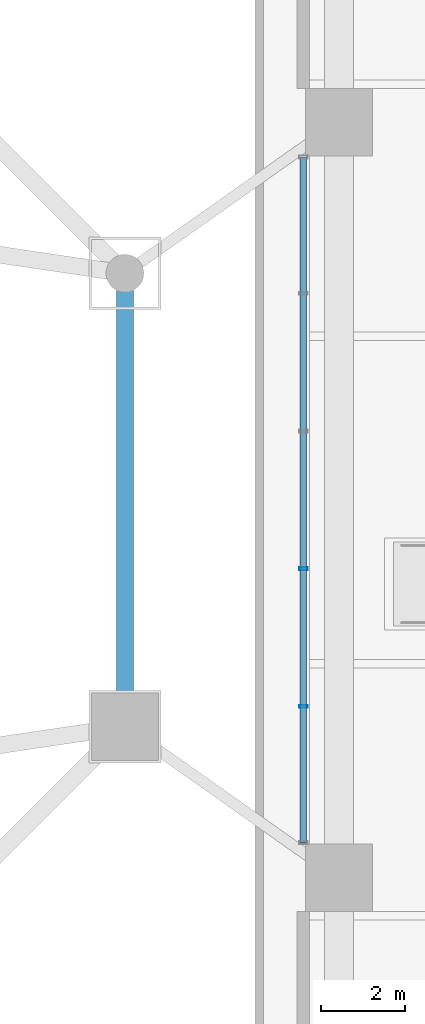
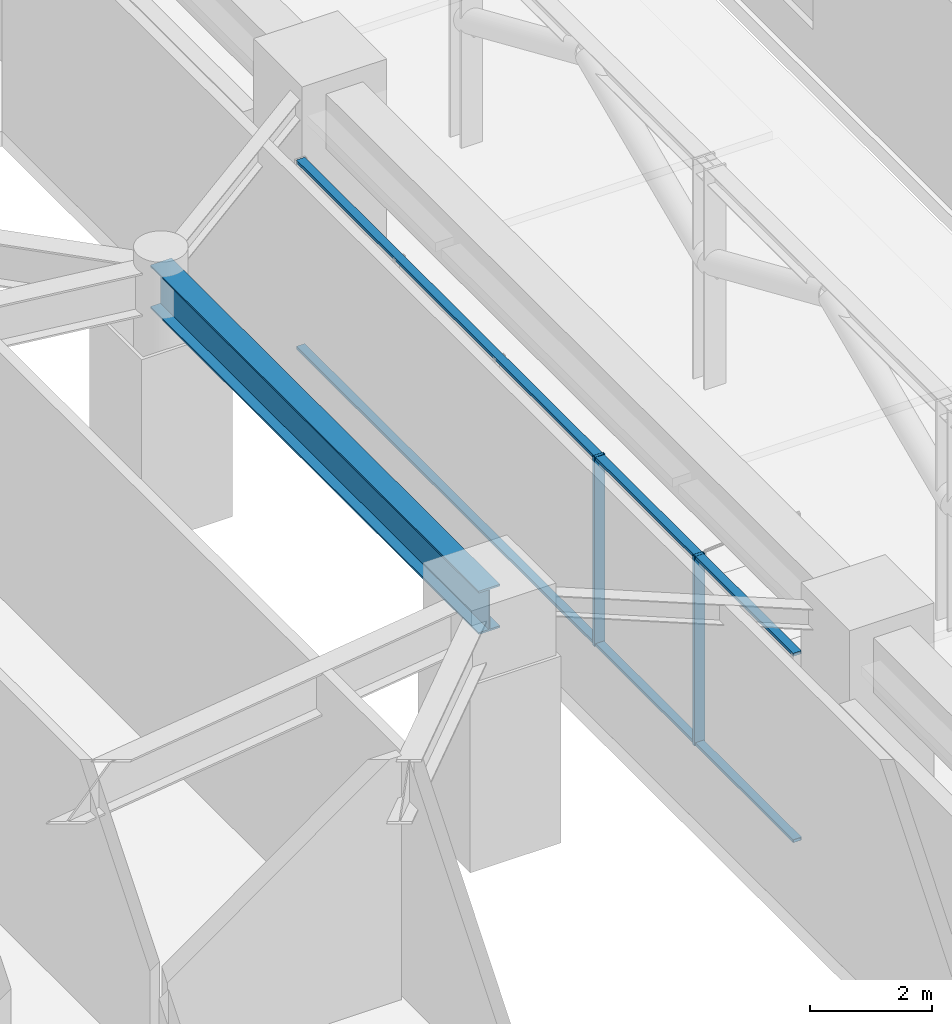
# One storey, part 12 of 27: 4 members, 1 beam, 1 element without a shape of its own.
"""IFC4 building model written with IfcOpenShell, lengths in metres."""

import ifcopenshell
import ifcopenshell.guid

model = None  # the IFC model being written
_history = None  # IfcOwnerHistory: only IFC2X3 demands one
_inside = {}  # id of a spatial element -> (the spatial element, [elements in it])
_under = {}  # id of a project, library or spatial element -> (it, [spatial elements below it])
_declared = {}  # id of a project -> (the project, [libraries it declares])
_typed = {}  # id of a type object -> (the type object, [elements of that type])
_made_of = {}  # id of a material, layer set ... -> (it, [elements and type objects made of it])


def new_model(schema):
    """Start an empty IFC model of exactly this schema.

    Asked for "IFC4X3", IfcOpenShell would pick the latest addendum, in which some entities
    have other attributes; the version numbers below select the first issue.
    IFC2X3 requires an IfcOwnerHistory on every rooted entity: one is made here for all.
    """
    global model, _history
    if schema == "IFC4X3":
        model = ifcopenshell.file(schema_version=(4, 3, 0, 0))
    else:
        model = ifcopenshell.file(schema=schema)
    _inside.clear()
    _under.clear()
    _declared.clear()
    _typed.clear()
    _made_of.clear()
    _history = None
    if model.schema == "IFC2X3":
        org = make("IfcOrganization", Name="unknown")
        user = make(
            "IfcPersonAndOrganization",
            ThePerson=make("IfcPerson", FamilyName="unknown"),
            TheOrganization=org,
        )
        app = make(
            "IfcApplication",
            ApplicationDeveloper=org,
            Version="unknown",
            ApplicationFullName="unknown",
            ApplicationIdentifier="unknown",
        )
        _history = make(
            "IfcOwnerHistory",
            OwningUser=user,
            OwningApplication=app,
            ChangeAction="ADDED",
            CreationDate=0,
        )
    return model


def make(cls, **values):
    """One entity of the class cls with the attributes given. An attribute that is None is left unset."""
    return model.create_entity(
        cls, **{name: value for name, value in values.items() if value is not None}
    )


def rooted(cls, **values):
    """An entity with a GlobalId (a new one), such as an element, a storey or a relation."""
    return make(cls, GlobalId=ifcopenshell.guid.new(), OwnerHistory=_history, **values)


def si_unit(unit_type, name, prefix=None):
    """IfcSIUnit, for example si_unit("LENGTHUNIT", "METRE", prefix="MILLI")."""
    return make("IfcSIUnit", UnitType=unit_type, Prefix=prefix, Name=name)


def assignment(units):
    """IfcUnitAssignment: the units of a project."""
    return None if units is None else make("IfcUnitAssignment", Units=units)


def point(xyz):
    """IfcCartesianPoint."""
    return None if xyz is None else make("IfcCartesianPoint", Coordinates=xyz)


def direction(xyz):
    """IfcDirection."""
    return None if xyz is None else make("IfcDirection", DirectionRatios=xyz)


def frame(location, z_axis=None, x_axis=None):
    """IfcAxis2Placement3D, a coordinate frame: its origin and axes. An axis left out is left unset."""
    return make(
        "IfcAxis2Placement3D",
        Location=point(location),
        Axis=direction(z_axis),
        RefDirection=direction(x_axis),
    )


def frame_2d(location, x_axis=None):
    """IfcAxis2Placement2D, a coordinate frame in the plane: its origin and x axis."""
    return make(
        "IfcAxis2Placement2D", Location=point(location), RefDirection=direction(x_axis)
    )


def origin():
    """The frame at (0, 0, 0) with its axes left unset."""
    return frame((0.0, 0.0, 0.0))


def origin_2d():
    """The frame at (0, 0) in the plane with its x axis left unset."""
    return frame_2d((0.0, 0.0))


def place(relative_to, where):
    """IfcLocalPlacement: puts the frame where relative to a parent placement (None: the world)."""
    return make(
        "IfcLocalPlacement", PlacementRelTo=relative_to, RelativePlacement=where
    )


def context(
    kind, dimensions, precision=None, world=None, true_north=None, identifier=None
):
    """IfcGeometricRepresentationContext, for example the 3D "Model" context."""
    return make(
        "IfcGeometricRepresentationContext",
        ContextIdentifier=identifier,
        ContextType=kind,
        CoordinateSpaceDimension=dimensions,
        Precision=precision,
        WorldCoordinateSystem=world,
        TrueNorth=true_north,
    )


def subcontext(parent, identifier, kind, view, scale=None):
    """IfcGeometricRepresentationSubContext, for example "Body" below "Model"."""
    return make(
        "IfcGeometricRepresentationSubContext",
        ContextIdentifier=identifier,
        ContextType=kind,
        ParentContext=parent,
        TargetScale=scale,
        TargetView=view,
    )


def project(units=None, contexts=None):
    """IfcProject with its units and contexts."""
    return rooted(
        "IfcProject",
        Name="project",
        RepresentationContexts=contexts,
        UnitsInContext=assignment(units),
    )


def spatial(cls, under=None, at=None, **own):
    """A site, building, storey or space (cls), placed at a placement, below another one or the project."""
    s = rooted(cls, ObjectPlacement=at, **own)
    if under is not None:
        _under.setdefault(under.id(), (under, []))[1].append(s)
    return s


def profile(cls, at=None, kind="AREA", **sizes):
    """A parametric profile (cls). Its sizes go by their IFC names, for example OverallWidth=200.0."""
    return make(cls, ProfileType=kind, Position=at, **sizes)


def hollow_rectangle(**sizes):
    """IfcRectangleHollowProfileDef."""
    return profile("IfcRectangleHollowProfileDef", **sizes)


def i_section(**sizes):
    """IfcIShapeProfileDef."""
    return profile("IfcIShapeProfileDef", **sizes)


def extrude(swept, where, along, depth):
    """IfcExtrudedAreaSolid: the profile swept, set in the frame where, extruded along a direction by depth."""
    return make(
        "IfcExtrudedAreaSolid",
        SweptArea=swept,
        Position=where,
        ExtrudedDirection=direction(along),
        Depth=depth,
    )


def shape(context_of_items, identifier, shape_type, items):
    """IfcShapeRepresentation: the items that make up one representation, for example the "Body"."""
    return make(
        "IfcShapeRepresentation",
        ContextOfItems=context_of_items,
        RepresentationIdentifier=identifier,
        RepresentationType=shape_type,
        Items=items,
    )


def source(mapping_origin, context_of_items, identifier, shape_type, items):
    """IfcRepresentationMap: a shape defined once, which mapped items show again and again."""
    return make(
        "IfcRepresentationMap",
        MappingOrigin=mapping_origin,
        MappedRepresentation=shape(context_of_items, identifier, shape_type, items),
    )


def transform(
    local_origin,
    x_axis=None,
    y_axis=None,
    z_axis=None,
    scale=None,
    scale2=None,
    scale3=None,
    uniform=True,
):
    """IfcCartesianTransformationOperator3D, or its non-uniform kind. x_axis, y_axis, z_axis: its Axis1, 2, 3."""
    if uniform:
        return make(
            "IfcCartesianTransformationOperator3D",
            Axis1=direction(x_axis),
            Axis2=direction(y_axis),
            LocalOrigin=point(local_origin),
            Scale=scale,
            Axis3=direction(z_axis),
        )
    return make(
        "IfcCartesianTransformationOperator3DnonUniform",
        Axis1=direction(x_axis),
        Axis2=direction(y_axis),
        LocalOrigin=point(local_origin),
        Scale=scale,
        Axis3=direction(z_axis),
        Scale2=scale2,
        Scale3=scale3,
    )


def mapped(mapping_source, mapping_target):
    """IfcMappedItem: shows the shape of a source again, moved by a transform."""
    return make(
        "IfcMappedItem", MappingSource=mapping_source, MappingTarget=mapping_target
    )


def material(Name=None, Category=None):
    """IfcMaterial."""
    return make("IfcMaterial", Name=Name, Category=Category)


def layer(
    of_material, thickness, ventilated=None, Name=None, Category=None, Priority=None
):
    """IfcMaterialLayer: one layer of a wall or slab, of a material (None: an air gap)."""
    return make(
        "IfcMaterialLayer",
        Material=of_material,
        LayerThickness=thickness,
        IsVentilated=ventilated,
        Name=Name,
        Category=Category,
        Priority=Priority,
    )


def layer_set(layers, Name=None):
    """IfcMaterialLayerSet."""
    return make("IfcMaterialLayerSet", MaterialLayers=layers, LayerSetName=Name)


def material_profile(
    of_material, cross_section, Name=None, Category=None, Priority=None
):
    """IfcMaterialProfile: a cross section and its material."""
    return make(
        "IfcMaterialProfile",
        Name=Name,
        Material=of_material,
        Profile=cross_section,
        Priority=Priority,
        Category=Category,
    )


def profile_set(profiles, Name=None, composite=None):
    """IfcMaterialProfileSet."""
    return make(
        "IfcMaterialProfileSet",
        Name=Name,
        MaterialProfiles=profiles,
        CompositeProfile=composite,
    )


def made_of(thing, what):
    """Note that an element or type object is made of a material, layer set ...; save() writes the relation."""
    if what is not None:
        _made_of.setdefault(what.id(), (what, []))[1].append(thing)
    return thing


def type_object(cls, material=None, **own):
    """A type object (cls), such as IfcWallType, which elements share."""
    return made_of(rooted(cls, **own), material)


def element(
    cls,
    number,
    at=None,
    inside=None,
    cuts=None,
    type_object=None,
    material=None,
    context=None,
    identifier="Body",
    shape_type=None,
    held_by="IfcProductDefinitionShape",
    body=None,
    shapes=None,
    **own,
):
    """One element of the class cls, such as IfcWall. Its Tag is "e" and its number.

    at: its placement. inside: the storey or other place that contains it. cuts: it is an
    opening in that element (IfcRelVoidsElement). A single representation is given by context,
    identifier, shape_type and body (its items); several are given by shapes. held_by: the class
    of the entity that holds the representations. save() writes the other relations.
    """
    e = rooted(cls, Tag="e%d" % number, ObjectPlacement=at, **own)
    if body is not None:
        shapes = [shape(context, identifier, shape_type, body)]
    if shapes is not None:
        e.Representation = make(held_by, Representations=shapes)
    if inside is not None:
        _inside.setdefault(inside.id(), (inside, []))[1].append(e)
    if cuts is not None:
        rooted(
            "IfcRelVoidsElement", RelatingBuildingElement=cuts, RelatedOpeningElement=e
        )
    if type_object is not None:
        _typed.setdefault(type_object.id(), (type_object, []))[1].append(e)
    return made_of(e, material)


def aggregate(whole, parts):
    """IfcRelAggregates: a whole, such as a stair, and the parts it consists of."""
    return rooted("IfcRelAggregates", RelatingObject=whole, RelatedObjects=parts)


def save(model, path):
    """Write the relations noted so far, then the file.

    IfcRelAggregates (storeys below a building ...), IfcRelContainedInSpatialStructure (elements
    in a storey), IfcRelDefinesByType, IfcRelAssociatesMaterial and IfcRelDeclares: one each for
    every whole, place, type object, material and project.
    """
    for whole, parts in _under.values():
        aggregate(whole, parts)
    for where, things in _inside.values():
        rooted(
            "IfcRelContainedInSpatialStructure",
            RelatedElements=things,
            RelatingStructure=where,
        )
    for kind, things in _typed.values():
        rooted("IfcRelDefinesByType", RelatedObjects=things, RelatingType=kind)
    for what, things in _made_of.values():
        rooted("IfcRelAssociatesMaterial", RelatedObjects=things, RelatingMaterial=what)
    for by, libraries in _declared.values():
        rooted("IfcRelDeclares", RelatingContext=by, RelatedDefinitions=libraries)
    model.write(path)


model = new_model("IFC4")

# Units and contexts
model_context = context("Model", 3, precision=1e-05, world=origin(), true_north=direction((0.0, 1.0)))
body_context = subcontext(model_context, "Body", "Model", "MODEL_VIEW")
ifc_project = project(units=[si_unit("LENGTHUNIT", "METRE"), si_unit("AREAUNIT", "SQUARE_METRE"), si_unit("VOLUMEUNIT", "CUBIC_METRE"), si_unit("PLANEANGLEUNIT", "RADIAN"), si_unit("MASSUNIT", "GRAM", prefix="KILO")], contexts=[model_context])

# Site, building, storey
site_placement = place(None, origin())
site = spatial("IfcSite", under=ifc_project, at=site_placement, CompositionType="ELEMENT")
building_placement = place(site_placement, origin())
building = spatial("IfcBuilding", under=site, at=building_placement, Name="Veraguas Prism Commons", CompositionType="ELEMENT")
storey_placement = place(building_placement, origin())
storey = spatial("IfcBuildingStorey", under=building, at=storey_placement, Name="L00", CompositionType="ELEMENT", Elevation=0.0)

# Beam
ifc_material_1 = material(Name="Steel ASTM A992 Grade 50", Category="steel")
ifc_material_profile_1 = material_profile(ifc_material_1, i_section(OverallWidth=0.403076171875, OverallDepth=0.867919921875, WebThickness=0.02099609375, FlangeThickness=0.03564453125, at=origin_2d()), Name="W840X359")
ifc_profile_set_1 = profile_set([ifc_material_profile_1], Name="Steel ASTM A992 Grade 50")
beam_type = type_object("IfcBeamType", Name="Concourse Primary Girder W840x359", PredefinedType="BEAM", material=ifc_profile_set_1)
beam_placement = place(storey_placement, frame((41.60009765625, 18.60009765625, 4.466064453125), z_axis=(0.0, 1.0, 0.0), x_axis=(-1.0, 0.0, 0.0)))
element("IfcBeam", 1, at=beam_placement, inside=storey, type_object=beam_type, Name="Concourse Ring Girder L00-TMH01", PredefinedType="BEAM", context=body_context, shape_type="SweptSolid", body=[
    extrude(i_section(OverallWidth=0.403076171875, OverallDepth=0.867919921875, WebThickness=0.02099609375, FlangeThickness=0.03564453125, at=origin_2d()), origin(), (0.0, 0.0, 1.0), 10.7998046875),
])

# Curtain wall, members
ifc_material_2 = material(Name="Anodised aluminium EN AW-6063 T6", Category="aluminium")
ifc_layer = layer(ifc_material_2, 0.199951171875, Name="Metro Concourse Structural Glazing", Category="aluminium")
ifc_layer_set = layer_set([ifc_layer], Name="Anodised aluminium EN AW-6063 T6")
curtain_wall_type = type_object("IfcCurtainWallType", Name="Metro Concourse Structural Glazing", PredefinedType="NOTDEFINED", material=ifc_layer_set)
curtain_wall_placement = place(storey_placement, origin())
curtain_wall = element("IfcCurtainWall", 2, at=curtain_wall_placement, inside=storey, type_object=curtain_wall_type, Name="Plaza Concourse Curtain Wall L00-E02", PredefinedType="NOTDEFINED")
ifc_material_profile_2 = material_profile(ifc_material_2, hollow_rectangle(XDim=0.06494140625, YDim=0.199951171875, WallThickness=0.00390625, at=origin_2d()), Name="AL65X200X4")
ifc_profile_set_2 = profile_set([ifc_material_profile_2], Name="Anodised aluminium EN AW-6063 T6")
member_type_1 = type_object("IfcMemberType", Name="Curtain Wall Mullion Heavy AL 65x200x4", PredefinedType="MULLION", material=ifc_profile_set_2)
shared_shape_1 = source(origin(), body_context, "Body", "SweptSolid", [
    extrude(hollow_rectangle(XDim=0.06494140625, YDim=0.199951171875, WallThickness=0.00390625, at=origin_2d()), origin(), (0.0, 0.0, 1.0), 3.800048828125),
])
member_1_placement = place(storey_placement, frame((45.85009765625, 19.080078125, 0.0), z_axis=(0.0, 0.0, 1.0), x_axis=(0.0, 1.0, 0.0)))
member_1 = element("IfcMember", 3, at=member_1_placement, type_object=member_type_1, Name="CW-STN Mullion 2", PredefinedType="MULLION", context=body_context, shape_type="MappedRepresentation", body=[
    mapped(shared_shape_1, transform((0.0, 0.0, 0.0), scale=1.0)),
])
member_2_placement = place(storey_placement, frame((45.85009765625, 22.360107421875, 0.0), z_axis=(0.0, 0.0, 1.0), x_axis=(0.0, 1.0, 0.0)))
member_2 = element("IfcMember", 4, at=member_2_placement, type_object=member_type_1, Name="CW-STN Mullion 3", PredefinedType="MULLION", context=body_context, shape_type="MappedRepresentation", body=[
    mapped(shared_shape_1, transform((0.0, 0.0, 0.0), scale=1.0)),
])
ifc_material_profile_3 = material_profile(ifc_material_2, hollow_rectangle(XDim=0.06005859375, YDim=0.159912109375, WallThickness=0.0029296875, at=origin_2d()), Name="AL60X160X3")
ifc_profile_set_3 = profile_set([ifc_material_profile_3], Name="Anodised aluminium EN AW-6063 T6")
member_type_2 = type_object("IfcMemberType", Name="Curtain Wall Transom Heavy AL 60x160x3", PredefinedType="USERDEFINED", material=ifc_profile_set_3)
shared_shape_2 = source(origin(), body_context, "Body", "SweptSolid", [
    extrude(hollow_rectangle(XDim=0.06005859375, YDim=0.159912109375, WallThickness=0.0029296875, at=origin_2d()), origin(), (0.0, 0.0, 1.0), 16.3349609375),
])
member_3_placement = place(storey_placement, frame((45.85009765625, 15.83251953125, 0.030029296875), z_axis=(0.0, 1.0, 0.0), x_axis=(0.0, 0.0, 1.0)))
member_3 = element("IfcMember", 5, at=member_3_placement, type_object=member_type_2, Name="CW-STN Transom 1", ObjectType="TRANSOM", PredefinedType="USERDEFINED", context=body_context, shape_type="MappedRepresentation", body=[
    mapped(shared_shape_2, transform((0.0, 0.0, 0.0), scale=1.0)),
])
member_4_placement = place(storey_placement, frame((45.85009765625, 15.83251953125, 3.77001953125), z_axis=(0.0, 1.0, 0.0), x_axis=(0.0, 0.0, 1.0)))
member_4 = element("IfcMember", 6, at=member_4_placement, type_object=member_type_2, Name="CW-STN Transom 2", ObjectType="TRANSOM", PredefinedType="USERDEFINED", context=body_context, shape_type="MappedRepresentation", body=[
    mapped(shared_shape_2, transform((0.0, 0.0, 0.0), scale=1.0)),
])
aggregate(curtain_wall, [member_1, member_2, member_3, member_4])

save(model, "model.ifc")
